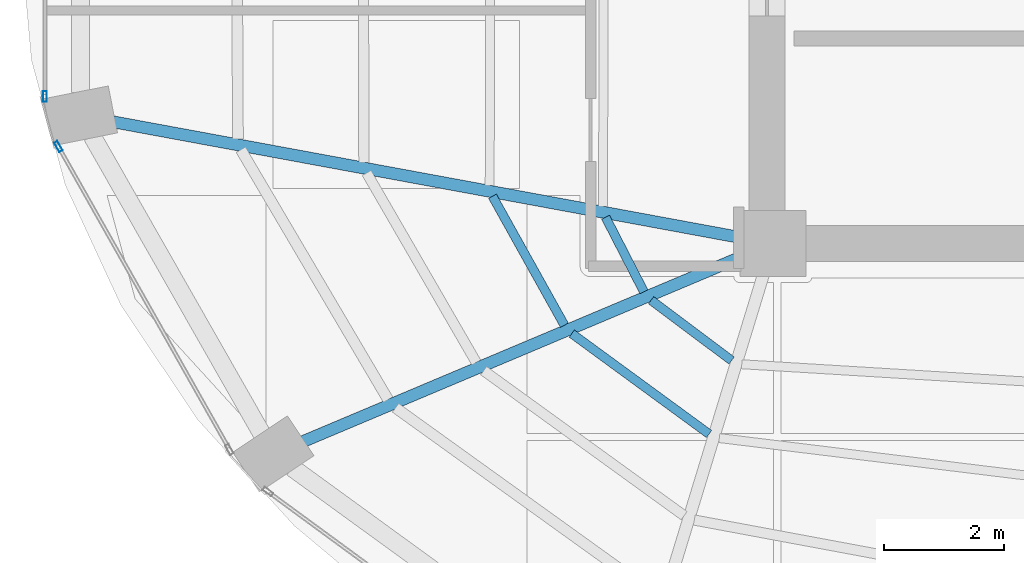
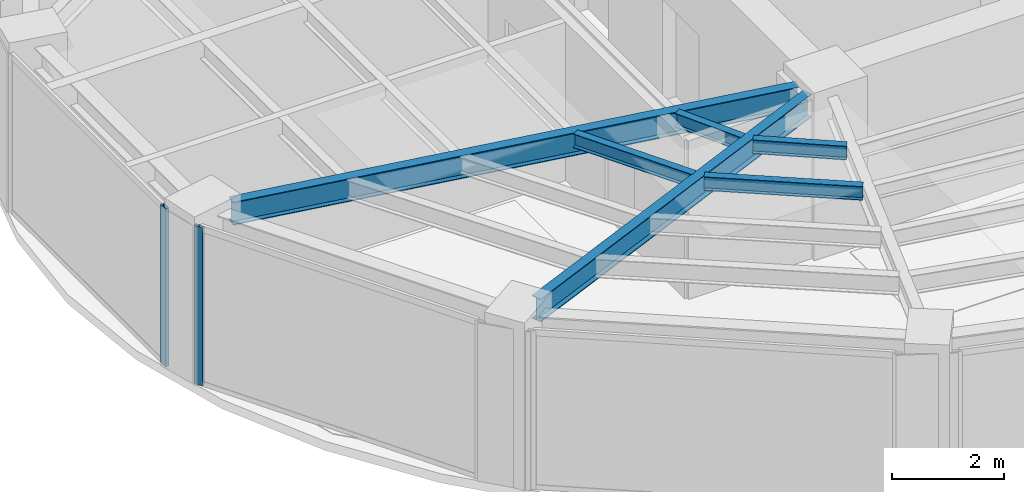
# One storey, part 4 of 23: 6 beams, 2 members, 2 elements without a shape of their own.
"""IFC4 building model written with IfcOpenShell, lengths in metres."""

from ifc_helpers import new_model, si_unit, direction, frame, origin, origin_2d, place, context, subcontext, project, spatial, hollow_rectangle, i_section, extrude, material, layer, layer_set, material_profile, profile_set, type_object, element, aggregate, save


model = new_model("IFC4")

# Units and contexts
model_context = context("Model", 3, precision=1e-05, world=origin(), true_north=direction((0.0, 1.0)))
body_context = subcontext(model_context, "Body", "Model", "MODEL_VIEW")
ifc_project = project(units=[si_unit("LENGTHUNIT", "METRE"), si_unit("AREAUNIT", "SQUARE_METRE"), si_unit("VOLUMEUNIT", "CUBIC_METRE"), si_unit("PLANEANGLEUNIT", "RADIAN"), si_unit("MASSUNIT", "GRAM", prefix="KILO")], contexts=[model_context])

# Site, building, storey
site_placement = place(None, origin())
site = spatial("IfcSite", under=ifc_project, at=site_placement, CompositionType="ELEMENT")
building_placement = place(site_placement, origin())
building = spatial("IfcBuilding", under=site, at=building_placement, Name="Lazwardi Medical Tower", CompositionType="ELEMENT")
storey_placement = place(building_placement, frame((0.0, 0.0, 198.47998046875)))
storey = spatial("IfcBuildingStorey", under=building, at=storey_placement, Name="L51", CompositionType="ELEMENT", Elevation=198.47998046875)

# Beams
ifc_material_1 = material(Name="Steel S355", Category="steel")
ifc_material_profile_1 = material_profile(ifc_material_1, i_section(OverallWidth=0.199951171875, OverallDepth=0.5, WebThickness=0.01025390625, FlangeThickness=0.01611328125, at=origin_2d()), Name="IPE 500")
ifc_profile_set_1 = profile_set([ifc_material_profile_1], Name="Steel S355")
beam_type_1 = type_object("IfcBeamType", Name="BM-RG-W3", PredefinedType="BEAM", material=ifc_profile_set_1)
beam_1_placement = place(storey_placement, frame((15.341064453125, 22.43994140625, 3.197998046875), z_axis=(0.983409341459, -0.181400295288, 0.0), x_axis=(0.181400295288, 0.983409341459, 0.0)))
element("IfcBeam", 1, at=beam_1_placement, inside=storey, type_object=beam_type_1, Name="Radial girder RG-04 R13 L51", PredefinedType="BEAM", context=body_context, shape_type="SweptSolid", body=[
    extrude(i_section(OverallWidth=0.199951171875, OverallDepth=0.5, WebThickness=0.01025390625, FlangeThickness=0.01611328125, at=origin_2d()), origin(), (0.0, 0.0, 1.0), 10.71044921875),
])
beam_2_placement = place(storey_placement, frame((18.533203125, 17.085205078125, 3.197998046875), z_axis=(0.921526791352, 0.388314785735, 0.0), x_axis=(-0.388314785735, 0.921526791352, 0.0)))
element("IfcBeam", 2, at=beam_2_placement, inside=storey, type_object=beam_type_1, Name="Radial girder RG-04 R14 L51", PredefinedType="BEAM", context=body_context, shape_type="SweptSolid", body=[
    extrude(i_section(OverallWidth=0.199951171875, OverallDepth=0.5, WebThickness=0.01025390625, FlangeThickness=0.01611328125, at=origin_2d()), origin(), (0.0, 0.0, 1.0), 8.001708984375),
])
ifc_material_profile_2 = material_profile(ifc_material_1, i_section(OverallWidth=0.14990234375, OverallDepth=0.300048828125, WebThickness=0.007080078125, FlangeThickness=0.0107421875, at=origin_2d()), Name="IPE 300")
ifc_profile_set_2 = profile_set([ifc_material_profile_2], Name="Steel S355")
beam_type_2 = type_object("IfcBeamType", Name="BM-SJ-03", PredefinedType="JOIST", material=ifc_profile_set_2)
beam_3_placement = place(storey_placement, frame((21.70703125, 21.19140625, 3.298095703125), z_axis=(0.487092942089, -0.873350139272, 0.0), x_axis=(0.873350139272, 0.487092942089, 0.0)))
element("IfcBeam", 3, at=beam_3_placement, inside=storey, type_object=beam_type_2, Name="Secondary joist SJ-03 R3 B13 L51", PredefinedType="JOIST", context=body_context, shape_type="SweptSolid", body=[
    extrude(i_section(OverallWidth=0.14990234375, OverallDepth=0.300048828125, WebThickness=0.007080078125, FlangeThickness=0.0107421875, at=origin_2d()), origin(), (0.0, 0.0, 1.0), 2.471923828125),
])
beam_4_placement = place(storey_placement, frame((23.0341796875, 18.893310546875, 3.298095703125), z_axis=(0.80703431267, -0.59050454543, 0.0), x_axis=(0.59050454543, 0.80703431267, 0.0)))
element("IfcBeam", 4, at=beam_4_placement, inside=storey, type_object=beam_type_2, Name="Secondary joist SJ-03 R3 B14 L51", PredefinedType="JOIST", context=body_context, shape_type="SweptSolid", body=[
    extrude(i_section(OverallWidth=0.14990234375, OverallDepth=0.300048828125, WebThickness=0.007080078125, FlangeThickness=0.0107421875, at=origin_2d()), origin(), (0.0, 0.0, 1.0), 2.846923828125),
])
beam_5_placement = place(storey_placement, frame((23.60009765625, 20.840087890625, 3.298095703125), z_axis=(0.457285056668, -0.889320176848, 0.0), x_axis=(0.889320176848, 0.457285056668, 0.0)))
element("IfcBeam", 5, at=beam_5_placement, inside=storey, type_object=beam_type_2, Name="Secondary joist SJ-03 R4 B13 L51", PredefinedType="JOIST", context=body_context, shape_type="SweptSolid", body=[
    extrude(i_section(OverallWidth=0.14990234375, OverallDepth=0.300048828125, WebThickness=0.007080078125, FlangeThickness=0.0107421875, at=origin_2d()), origin(), (0.0, 0.0, 1.0), 1.402099609375),
])
beam_6_placement = place(storey_placement, frame((24.36083984375, 19.451904296875, 3.298095703125), z_axis=(0.800365301971, -0.599512621553, 0.0), x_axis=(0.599512621553, 0.800365301971, 0.0)))
element("IfcBeam", 6, at=beam_6_placement, inside=storey, type_object=beam_type_2, Name="Secondary joist SJ-03 R4 B14 L51", PredefinedType="JOIST", context=body_context, shape_type="SweptSolid", body=[
    extrude(i_section(OverallWidth=0.14990234375, OverallDepth=0.300048828125, WebThickness=0.007080078125, FlangeThickness=0.0107421875, at=origin_2d()), origin(), (0.0, 0.0, 1.0), 1.68359375),
])

# Curtain wall, member
ifc_material_2 = material(Name="Anodised bronze aluminium and solar control glazing", Category="aluminium")
ifc_layer = layer(ifc_material_2, 0.18994140625)
ifc_layer_set = layer_set([ifc_layer], Name="Anodised bronze aluminium and solar control glazing")
curtain_wall_type = type_object("IfcCurtainWallType", Name="CW-SYS-04", PredefinedType="NOTDEFINED", material=ifc_layer_set)
curtain_wall_1_placement = place(storey_placement, origin())
curtain_wall_1 = element("IfcCurtainWall", 7, at=curtain_wall_1_placement, inside=storey, type_object=curtain_wall_type, Name="L51 Unitised bronze curtain wall CW-04", PredefinedType="NOTDEFINED")
ifc_material_3 = material(Name="Anodised bronze aluminium", Category="aluminium")
ifc_material_profile_3 = material_profile(ifc_material_3, hollow_rectangle(XDim=0.06494140625, YDim=0.179931640625, WallThickness=0.00390625, at=origin_2d()), Name="ALU-MULLION 180x65x4")
ifc_profile_set_3 = profile_set([ifc_material_profile_3], Name="Anodised bronze aluminium")
member_type = type_object("IfcMemberType", Name="CW-MUL-03", PredefinedType="MULLION", material=ifc_profile_set_3)
member_1_placement = place(storey_placement, frame((14.2158203125, 22.859619140625, 0.0), z_axis=(0.0, 0.0, 1.0), x_axis=(1.0, 0.0, 0.0)))
member_1 = element("IfcMember", 8, at=member_1_placement, type_object=member_type, Name="CW-04 mullion 2", PredefinedType="MULLION", context=body_context, shape_type="SweptSolid", body=[
    extrude(hollow_rectangle(XDim=0.06494140625, YDim=0.179931640625, WallThickness=0.00390625, at=origin_2d()), origin(), (0.0, 0.0, 1.0), 3.447998046875),
])
aggregate(curtain_wall_1, [member_1])

curtain_wall_2_placement = place(storey_placement, origin())
curtain_wall_2 = element("IfcCurtainWall", 9, at=curtain_wall_2_placement, inside=storey, type_object=curtain_wall_type, Name="L51 Unitised bronze curtain wall CW-04", PredefinedType="NOTDEFINED")
member_2_placement = place(storey_placement, frame((14.442626953125, 22.021728515625, 0.0), z_axis=(0.0, 0.0, 1.0), x_axis=(0.870651436011, 0.491900474661, 0.0)))
member_2 = element("IfcMember", 10, at=member_2_placement, type_object=member_type, Name="CW-04 mullion 1", PredefinedType="MULLION", context=body_context, shape_type="SweptSolid", body=[
    extrude(hollow_rectangle(XDim=0.06494140625, YDim=0.179931640625, WallThickness=0.00390625, at=origin_2d()), origin(), (0.0, 0.0, 1.0), 3.447998046875),
])
aggregate(curtain_wall_2, [member_2])

save(model, "model.ifc")
